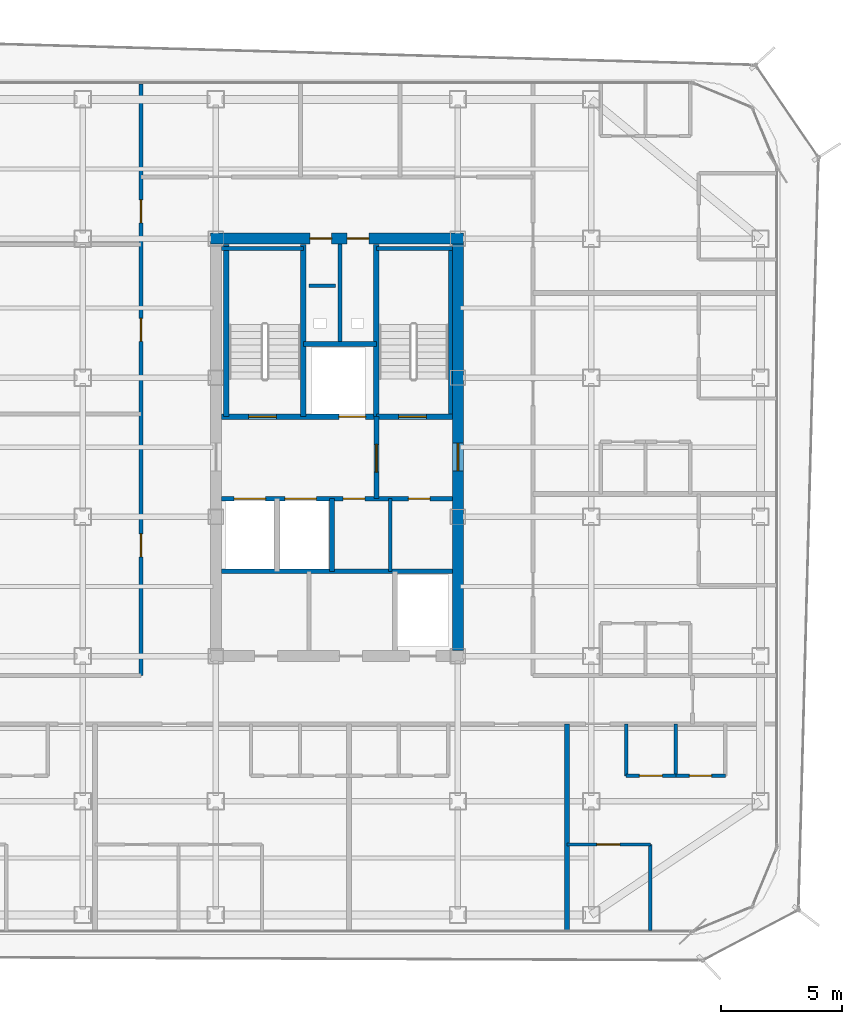
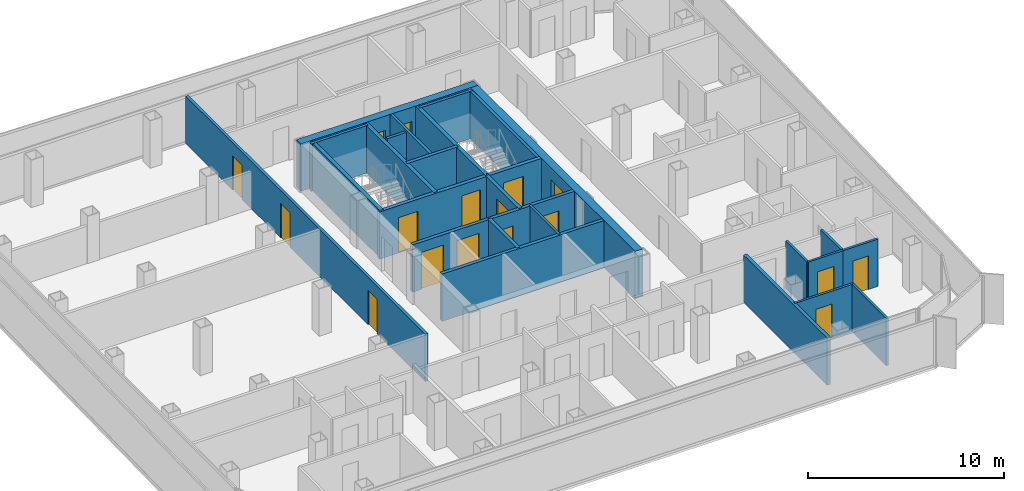
# One storey, part 11 of 16: 26 walls, 17 doors, 17 openings.
"""IFC4 building model written with IfcOpenShell, lengths in metres."""

from ifc_helpers import new_model, si_unit, direction, frame, frame_2d, origin, place, context, subcontext, project, spatial, rectangle, extrude, material, layer, layer_set, type_object, element, fill, save


model = new_model("IFC4")

# Units and contexts
model_context = context("Model", 3, precision=1e-05, world=origin(), true_north=direction((0.0, 1.0)))
body_context = subcontext(model_context, "Body", "Model", "MODEL_VIEW")
ifc_project = project(units=[si_unit("LENGTHUNIT", "METRE"), si_unit("AREAUNIT", "SQUARE_METRE"), si_unit("VOLUMEUNIT", "CUBIC_METRE"), si_unit("PLANEANGLEUNIT", "RADIAN"), si_unit("MASSUNIT", "GRAM", prefix="KILO")], contexts=[model_context])

# Site, building, storey
site_placement = place(None, origin())
site = spatial("IfcSite", under=ifc_project, at=site_placement, CompositionType="ELEMENT")
building_placement = place(site_placement, origin())
building = spatial("IfcBuilding", under=site, at=building_placement, Name="Kolveth Station Tower", CompositionType="ELEMENT")
storey_placement = place(building_placement, frame((0.0, 0.0, 175.300048828125)))
storey = spatial("IfcBuildingStorey", under=building, at=storey_placement, Name="L49", CompositionType="ELEMENT", Elevation=175.300048828125)

# Wall, openings, doors
ifc_material_1 = material(Name="Concrete C50/60", Category="concrete")
ifc_layer_1 = layer(ifc_material_1, 0.449951171875)
ifc_layer_set_1 = layer_set([ifc_layer_1], Name="Concrete C50/60")
wall_type_1 = type_object("IfcWallType", Name="Wall_CW-450", PredefinedType="SHEAR", material=ifc_layer_set_1)
wall_1_placement = place(storey_placement, frame((18.27490234375, 28.75, 0.0), z_axis=(0.0, 0.0, 1.0), x_axis=(1.0, 0.0, 0.0)))
wall_1 = element("IfcWall", 1, at=wall_1_placement, inside=storey, type_object=wall_type_1, Name="L49 Core RC Shear Wall N", PredefinedType="SHEAR", context=body_context, shape_type="SweptSolid", body=[
    extrude(rectangle(XDim=10.4501953125, YDim=0.449951171875, at=frame_2d((5.22509765625, 0.0))), origin(), (0.0, 0.0, 1.0), 2.949951171875),
])
opening_1_placement = place(wall_1_placement, frame((4.10498046875, 0.0, 0.0)))
opening_1 = element("IfcOpeningElement", 2, at=opening_1_placement, cuts=wall_1, Name="Opening RD1", PredefinedType="OPENING", context=body_context, shape_type="SweptSolid", body=[
    extrude(rectangle(XDim=0.89990234375, YDim=2.050048828125, at=frame_2d((0.449951171875, 1.02490234375))), frame((0.0, 0.23486328125, 0.0), z_axis=(0.0, -1.0, 0.0), x_axis=(1.0, 0.0, 0.0)), (0.0, 0.0, 1.0), 0.469970703125),
])
opening_2_placement = place(wall_1_placement, frame((5.64501953125, 0.0, 0.0)))
opening_2 = element("IfcOpeningElement", 3, at=opening_2_placement, cuts=wall_1, Name="Opening RD1", PredefinedType="OPENING", context=body_context, shape_type="SweptSolid", body=[
    extrude(rectangle(XDim=0.89990234375, YDim=2.050048828125, at=frame_2d((0.449951171875, 1.02490234375))), frame((0.0, 0.23486328125, 0.0), z_axis=(0.0, -1.0, 0.0), x_axis=(1.0, 0.0, 0.0)), (0.0, 0.0, 1.0), 0.469970703125),
])
ifc_material_2 = material(Name="Fire-rated Steel S355 riser access leaf", Category="steel")
door_type_1 = type_object("IfcDoorType", Name="Door_RD1", OperationType="NOTDEFINED", PredefinedType="DOOR", material=ifc_material_2)
door_1_placement = place(opening_1_placement, origin())
door_1 = element("IfcDoor", 4, at=door_1_placement, inside=storey, type_object=door_type_1, Name="L49 Electrical Riser Access Door", OperationType="SINGLE_SWING_RIGHT", OverallHeight=2.050048828125, OverallWidth=0.89990234375, PredefinedType="DOOR", context=body_context, shape_type="SweptSolid", body=[
    extrude(rectangle(XDim=0.89990234375, YDim=2.050048828125, at=frame_2d((0.449951171875, 1.02490234375))), frame((0.0, 0.02490234375, 0.0), z_axis=(0.0, -1.0, 0.0), x_axis=(1.0, 0.0, 0.0)), (0.0, 0.0, 1.0), 0.050048828125),
])
fill(opening_1, door_1)
door_2_placement = place(opening_2_placement, origin())
door_2 = element("IfcDoor", 5, at=door_2_placement, inside=storey, type_object=door_type_1, Name="L49 Smoke Duct Access Door", OperationType="SINGLE_SWING_LEFT", OverallHeight=2.050048828125, OverallWidth=0.89990234375, PredefinedType="DOOR", context=body_context, shape_type="SweptSolid", body=[
    extrude(rectangle(XDim=0.89990234375, YDim=2.050048828125, at=frame_2d((0.449951171875, 1.02490234375))), frame((0.0, 0.02490234375, 0.0), z_axis=(0.0, -1.0, 0.0), x_axis=(1.0, 0.0, 0.0)), (0.0, 0.0, 1.0), 0.050048828125),
])
fill(opening_2, door_2)

# Wall, opening, door
wall_2_placement = place(storey_placement, frame((28.5, 11.72509765625, 0.0), z_axis=(0.0, 0.0, 1.0), x_axis=(0.0, 1.0, 0.0)))
wall_2 = element("IfcWall", 6, at=wall_2_placement, inside=storey, type_object=wall_type_1, Name="L49 Core RC Shear Wall E", PredefinedType="SHEAR", context=body_context, shape_type="SweptSolid", body=[
    extrude(rectangle(XDim=16.7998046875, YDim=0.449951171875, at=frame_2d((8.39990234375, 0.0))), origin(), (0.0, 0.0, 1.0), 2.949951171875),
])
opening_3_placement = place(wall_2_placement, frame((7.425048828125, 0.0, 0.0)))
opening_3 = element("IfcOpeningElement", 7, at=opening_3_placement, cuts=wall_2, Name="Opening FD1", PredefinedType="OPENING", context=body_context, shape_type="SweptSolid", body=[
    extrude(rectangle(XDim=1.14990234375, YDim=2.199951171875, at=frame_2d((0.574951171875, 1.10009765625))), frame((0.0, 0.23486328125, 0.0), z_axis=(0.0, -1.0, 0.0), x_axis=(1.0, 0.0, 0.0)), (0.0, 0.0, 1.0), 0.469970703125),
])
ifc_material_3 = material(Name="Fire-rated Steel S355 leaf and frame", Category="steel")
door_type_2 = type_object("IfcDoorType", Name="Door_FD1", OperationType="NOTDEFINED", PredefinedType="DOOR", material=ifc_material_3)
door_3_placement = place(opening_3_placement, origin())
door_3 = element("IfcDoor", 8, at=door_3_placement, inside=storey, type_object=door_type_2, Name="L49 East Corridor to Stair Lobby Door", OperationType="SINGLE_SWING_LEFT", OverallHeight=2.199951171875, OverallWidth=1.14990234375, PredefinedType="DOOR", context=body_context, shape_type="SweptSolid", body=[
    extrude(rectangle(XDim=1.14990234375, YDim=2.199951171875, at=frame_2d((0.574951171875, 1.10009765625))), frame((0.0, 0.02490234375, 0.0), z_axis=(0.0, -1.0, 0.0), x_axis=(1.0, 0.0, 0.0)), (0.0, 0.0, 1.0), 0.050048828125),
])
fill(opening_3, door_3)

# Wall
ifc_material_4 = material(Name="Moisture-resistant gypsum partition")
ifc_layer_2 = layer(ifc_material_4, 0.135009765625)
ifc_layer_set_2 = layer_set([ifc_layer_2], Name="Moisture-resistant gypsum partition")
wall_type_2 = type_object("IfcWallType", Name="Wall_IW-135", PredefinedType="PARTITIONING", material=ifc_layer_set_2)
wall_3_placement = place(storey_placement, frame((25.699951171875, 15.0, 0.0), z_axis=(0.0, 0.0, 1.0), x_axis=(0.0, 1.0, 0.0)))
element("IfcWall", 9, at=wall_3_placement, inside=storey, type_object=wall_type_2, Name="L49 Partition Wall WL-L49-CB-V1", PredefinedType="PARTITIONING", context=body_context, shape_type="SweptSolid", body=[
    extrude(rectangle(XDim=3.0, YDim=0.135009765625, at=frame_2d((1.5, 0.0))), origin(), (0.0, 0.0, 1.0), 2.949951171875),
])

# Wall, opening, door
wall_4_placement = place(storey_placement, frame((35.449951171875, 6.550048828125, 0.0), z_axis=(0.0, 0.0, 1.0), x_axis=(1.0, 0.0, 0.0)))
wall_4 = element("IfcWall", 10, at=wall_4_placement, inside=storey, type_object=wall_type_2, Name="L49 Partition Wall WL-L49-A4-IBHK", PredefinedType="PARTITIONING", context=body_context, shape_type="SweptSolid", body=[
    extrude(rectangle(XDim=2.050048828125, YDim=0.135009765625, at=frame_2d((1.02490234375, 0.0))), origin(), (0.0, 0.0, 1.0), 2.949951171875),
])
opening_4_placement = place(wall_4_placement, frame((0.544921875, 0.0, 0.0)))
opening_4 = element("IfcOpeningElement", 11, at=opening_4_placement, cuts=wall_4, Name="Opening ID1", PredefinedType="OPENING", context=body_context, shape_type="SweptSolid", body=[
    extrude(rectangle(XDim=0.949951171875, YDim=2.14990234375, at=frame_2d((0.47509765625, 1.074951171875))), frame((0.0, 0.077392578125, 0.0), z_axis=(0.0, -1.0, 0.0), x_axis=(1.0, 0.0, 0.0)), (0.0, 0.0, 1.0), 0.155029296875),
])
ifc_material_5 = material(Name="Acoustic hardwood leaf and aluminium frame", Category="wood")
door_type_3 = type_object("IfcDoorType", Name="Door_ID1", OperationType="NOTDEFINED", PredefinedType="DOOR", material=ifc_material_5)
door_4_placement = place(opening_4_placement, origin())
door_4 = element("IfcDoor", 12, at=door_4_placement, inside=storey, type_object=door_type_3, Name="Flat L49-A4 Kitchen Door", OperationType="SINGLE_SWING_LEFT", OverallHeight=2.14990234375, OverallWidth=0.949951171875, PredefinedType="DOOR", context=body_context, shape_type="SweptSolid", body=[
    extrude(rectangle(XDim=0.949951171875, YDim=2.14990234375, at=frame_2d((0.47509765625, 1.074951171875))), frame((0.0, 0.02490234375, 0.0), z_axis=(0.0, -1.0, 0.0), x_axis=(1.0, 0.0, 0.0)), (0.0, 0.0, 1.0), 0.050048828125),
])
fill(opening_4, door_4)

wall_5_placement = place(storey_placement, frame((37.5, 6.550048828125, 0.0), z_axis=(0.0, 0.0, 1.0), x_axis=(1.0, 0.0, 0.0)))
wall_5 = element("IfcWall", 13, at=wall_5_placement, inside=storey, type_object=wall_type_2, Name="L49 Partition Wall WL-L49-A4-IBHB", PredefinedType="PARTITIONING", context=body_context, shape_type="SweptSolid", body=[
    extrude(rectangle(XDim=2.050048828125, YDim=0.135009765625, at=frame_2d((1.02490234375, 0.0))), origin(), (0.0, 0.0, 1.0), 2.949951171875),
])
opening_5_placement = place(wall_5_placement, frame((0.56494140625, 0.0, 0.0)))
opening_5 = element("IfcOpeningElement", 14, at=opening_5_placement, cuts=wall_5, Name="Opening ID2", PredefinedType="OPENING", context=body_context, shape_type="SweptSolid", body=[
    extrude(rectangle(XDim=0.919921875, YDim=2.10009765625, at=frame_2d((0.4599609375, 1.050048828125))), frame((0.0, 0.077392578125, 0.0), z_axis=(0.0, -1.0, 0.0), x_axis=(1.0, 0.0, 0.0)), (0.0, 0.0, 1.0), 0.155029296875),
])
ifc_material_6 = material(Name="Moisture-resistant hardwood leaf", Category="wood")
door_type_4 = type_object("IfcDoorType", Name="Door_ID2", OperationType="NOTDEFINED", PredefinedType="DOOR", material=ifc_material_6)
door_5_placement = place(opening_5_placement, origin())
door_5 = element("IfcDoor", 15, at=door_5_placement, inside=storey, type_object=door_type_4, Name="Flat L49-A4 Bathroom Door", OperationType="SINGLE_SWING_LEFT", OverallHeight=2.10009765625, OverallWidth=0.919921875, PredefinedType="DOOR", context=body_context, shape_type="SweptSolid", body=[
    extrude(rectangle(XDim=0.919921875, YDim=2.10009765625, at=frame_2d((0.4599609375, 1.050048828125))), frame((0.0, 0.02490234375, 0.0), z_axis=(0.0, -1.0, 0.0), x_axis=(1.0, 0.0, 0.0)), (0.0, 0.0, 1.0), 0.050048828125),
])
fill(opening_5, door_5)

# Walls
for number, where, z_axis, x_axis, name in (
    (16, (35.449951171875, 6.550048828125, 0.0), (0.0, 0.0, 1.0), (0.0, 1.0, 0.0), "L49 Partition Wall WL-L49-A4-IBV0"),
    (17, (37.5, 6.550048828125, 0.0), (0.0, 0.0, 1.0), (0.0, 1.0, 0.0), "L49 Partition Wall WL-L49-A4-IBV1"),
):
    element("IfcWall", number, at=place(storey_placement, frame(where, z_axis=z_axis, x_axis=x_axis)), inside=storey, type_object=wall_type_2, Name=name, PredefinedType="PARTITIONING", context=body_context, shape_type="SweptSolid", body=[
        extrude(rectangle(XDim=2.14990234375, YDim=0.135009765625, at=frame_2d((1.074951171875, 0.0))), origin(), (0.0, 0.0, 1.0), 2.949951171875),
    ])
wall_6_placement = place(storey_placement, frame((36.449951171875, 0.159912109375, 0.0), z_axis=(0.0, 0.0, 1.0), x_axis=(0.0, 1.0, 0.0)))
element("IfcWall", 18, at=wall_6_placement, inside=storey, type_object=wall_type_2, Name="L49 Partition Wall WL-L49-A4-BDVE", PredefinedType="PARTITIONING", context=body_context, shape_type="SweptSolid", body=[
    extrude(rectangle(XDim=3.550048828125, YDim=0.135009765625, at=frame_2d((1.77490234375, 0.0))), origin(), (0.0, 0.0, 1.0), 2.949951171875),
])

# Wall, opening, door
wall_7_placement = place(storey_placement, frame((33.0, 3.7099609375, 0.0), z_axis=(0.0, 0.0, 1.0), x_axis=(1.0, 0.0, 0.0)))
wall_7 = element("IfcWall", 19, at=wall_7_placement, inside=storey, type_object=wall_type_2, Name="L49 Partition Wall WL-L49-A4-BDH1", PredefinedType="PARTITIONING", context=body_context, shape_type="SweptSolid", body=[
    extrude(rectangle(XDim=3.449951171875, YDim=0.135009765625, at=frame_2d((1.72509765625, 0.0))), origin(), (0.0, 0.0, 1.0), 2.949951171875),
])
opening_6_placement = place(wall_7_placement, frame((1.2451171875, 0.0, 0.0)))
opening_6 = element("IfcOpeningElement", 20, at=opening_6_placement, cuts=wall_7, Name="Opening ID1", PredefinedType="OPENING", context=body_context, shape_type="SweptSolid", body=[
    extrude(rectangle(XDim=0.949951171875, YDim=2.14990234375, at=frame_2d((0.47509765625, 1.074951171875))), frame((0.0, 0.077392578125, 0.0), z_axis=(0.0, -1.0, 0.0), x_axis=(1.0, 0.0, 0.0)), (0.0, 0.0, 1.0), 0.155029296875),
])
door_6_placement = place(opening_6_placement, frame((0.949951171875, 0.0, 0.0), z_axis=(0.0, 0.0, 1.0), x_axis=(-1.0, 0.0, 0.0)))
door_6 = element("IfcDoor", 21, at=door_6_placement, inside=storey, type_object=door_type_3, Name="Flat L49-A4 Bedroom 1 Door", OperationType="SINGLE_SWING_RIGHT", OverallHeight=2.14990234375, OverallWidth=0.949951171875, PredefinedType="DOOR", context=body_context, shape_type="SweptSolid", body=[
    extrude(rectangle(XDim=0.949951171875, YDim=2.14990234375, at=frame_2d((0.47509765625, 1.074951171875))), frame((0.0, 0.02490234375, 0.0), z_axis=(0.0, -1.0, 0.0), x_axis=(1.0, 0.0, 0.0)), (0.0, 0.0, 1.0), 0.050048828125),
])
fill(opening_6, door_6)

# Walls
ifc_material_7 = material(Name="Acoustic double-stud gypsum partition")
ifc_layer_3 = layer(ifc_material_7, 0.1650390625)
ifc_layer_set_3 = layer_set([ifc_layer_3], Name="Acoustic double-stud gypsum partition")
wall_type_3 = type_object("IfcWallType", Name="Wall_IW-165", PredefinedType="PARTITIONING", material=ifc_layer_set_3)
wall_8_placement = place(storey_placement, frame((18.735107421875, 28.3349609375, 0.0), z_axis=(0.0, 0.0, 1.0), x_axis=(1.0, 0.0, 0.0)))
element("IfcWall", 22, at=wall_8_placement, inside=storey, type_object=wall_type_3, Name="L49 Stair Shaft Wall WL-L49-ST1-N", PredefinedType="PARTITIONING", context=body_context, shape_type="SweptSolid", body=[
    extrude(rectangle(XDim=3.375, YDim=0.1650390625, at=frame_2d((1.6875, 0.0))), origin(), (0.0, 0.0, 1.0), 2.949951171875),
])
wall_9_placement = place(storey_placement, frame((25.1298828125, 28.3349609375, 0.0), z_axis=(0.0, 0.0, 1.0), x_axis=(1.0, 0.0, 0.0)))
element("IfcWall", 23, at=wall_9_placement, inside=storey, type_object=wall_type_3, Name="L49 Stair Shaft Wall WL-L49-ST2-N", PredefinedType="PARTITIONING", context=body_context, shape_type="SweptSolid", body=[
    extrude(rectangle(XDim=3.135009765625, YDim=0.1650390625, at=frame_2d((1.5673828125, 0.0))), origin(), (0.0, 0.0, 1.0), 2.949951171875),
])
wall_10_placement = place(storey_placement, frame((28.1826171875, 21.389892578125, 0.0), z_axis=(0.0, 0.0, 1.0), x_axis=(0.0, 1.0, 0.0)))
element("IfcWall", 24, at=wall_10_placement, inside=storey, type_object=wall_type_3, Name="L49 Stair Shaft Wall WL-L49-ST2-E", PredefinedType="PARTITIONING", context=body_context, shape_type="SweptSolid", body=[
    extrude(rectangle(XDim=6.945068359375, YDim=0.1650390625, at=frame_2d((3.47265625, 0.0))), origin(), (0.0, 0.0, 1.0), 2.949951171875),
])
wall_11_placement = place(storey_placement, frame((23.6201171875, 24.39990234375, 0.0), z_axis=(0.0, 0.0, 1.0), x_axis=(0.0, 1.0, 0.0)))
element("IfcWall", 25, at=wall_11_placement, inside=storey, type_object=wall_type_3, Name="L49 Partition Wall WL-L49-RSR-M", PredefinedType="PARTITIONING", context=body_context, shape_type="SweptSolid", body=[
    extrude(rectangle(XDim=4.114990234375, YDim=0.1650390625, at=frame_2d((2.0576171875, 0.0))), origin(), (0.0, 0.0, 1.0), 2.949951171875),
])

# Wall, openings, doors
wall_12_placement = place(storey_placement, frame((15.39990234375, 10.699951171875, 0.0), z_axis=(0.0, 0.0, 1.0), x_axis=(0.0, 1.0, 0.0)))
wall_12 = element("IfcWall", 26, at=wall_12_placement, inside=storey, type_object=wall_type_3, Name="L49 Partition Wall WL-L49-RW", PredefinedType="PARTITIONING", context=body_context, shape_type="SweptSolid", body=[
    extrude(rectangle(XDim=24.43994140625, YDim=0.1650390625, at=frame_2d((12.219970703125, 0.0))), origin(), (0.0, 0.0, 1.0), 2.949951171875),
])
opening_7_placement = place(wall_12_placement, frame((4.89990234375, 0.0, 0.0)))
opening_7 = element("IfcOpeningElement", 27, at=opening_7_placement, cuts=wall_12, Name="Opening ID1", PredefinedType="OPENING", context=body_context, shape_type="SweptSolid", body=[
    extrude(rectangle(XDim=0.949951171875, YDim=2.14990234375, at=frame_2d((0.47509765625, 1.074951171875))), frame((0.0, 0.092529296875, 0.0), z_axis=(0.0, -1.0, 0.0), x_axis=(1.0, 0.0, 0.0)), (0.0, 0.0, 1.0), 0.18505859375),
])
opening_8_placement = place(wall_12_placement, frame((13.800048828125, 0.0, 0.0)))
opening_8 = element("IfcOpeningElement", 28, at=opening_8_placement, cuts=wall_12, Name="Opening ID1", PredefinedType="OPENING", context=body_context, shape_type="SweptSolid", body=[
    extrude(rectangle(XDim=0.949951171875, YDim=2.14990234375, at=frame_2d((0.47509765625, 1.074951171875))), frame((0.0, 0.092529296875, 0.0), z_axis=(0.0, -1.0, 0.0), x_axis=(1.0, 0.0, 0.0)), (0.0, 0.0, 1.0), 0.18505859375),
])
opening_9_placement = place(wall_12_placement, frame((18.699951171875, 0.0, 0.0)))
opening_9 = element("IfcOpeningElement", 29, at=opening_9_placement, cuts=wall_12, Name="Opening ID1", PredefinedType="OPENING", context=body_context, shape_type="SweptSolid", body=[
    extrude(rectangle(XDim=0.949951171875, YDim=2.14990234375, at=frame_2d((0.47509765625, 1.074951171875))), frame((0.0, 0.092529296875, 0.0), z_axis=(0.0, -1.0, 0.0), x_axis=(1.0, 0.0, 0.0)), (0.0, 0.0, 1.0), 0.18505859375),
])
door_7_placement = place(opening_7_placement, frame((0.949951171875, 0.0, 0.0), z_axis=(0.0, 0.0, 1.0), x_axis=(-1.0, 0.0, 0.0)))
door_7 = element("IfcDoor", 30, at=door_7_placement, inside=storey, type_object=door_type_3, Name="L49 Residents' Club Lounge Door", OperationType="SINGLE_SWING_RIGHT", OverallHeight=2.14990234375, OverallWidth=0.949951171875, PredefinedType="DOOR", context=body_context, shape_type="SweptSolid", body=[
    extrude(rectangle(XDim=0.949951171875, YDim=2.14990234375, at=frame_2d((0.47509765625, 1.074951171875))), frame((0.0, 0.02490234375, 0.0), z_axis=(0.0, -1.0, 0.0), x_axis=(1.0, 0.0, 0.0)), (0.0, 0.0, 1.0), 0.050048828125),
])
fill(opening_7, door_7)
door_8_placement = place(opening_8_placement, frame((0.949951171875, 0.0, 0.0), z_axis=(0.0, 0.0, 1.0), x_axis=(-1.0, 0.0, 0.0)))
door_8 = element("IfcDoor", 31, at=door_8_placement, inside=storey, type_object=door_type_3, Name="L49 Residents' Screening Room Door", OperationType="SINGLE_SWING_LEFT", OverallHeight=2.14990234375, OverallWidth=0.949951171875, PredefinedType="DOOR", context=body_context, shape_type="SweptSolid", body=[
    extrude(rectangle(XDim=0.949951171875, YDim=2.14990234375, at=frame_2d((0.47509765625, 1.074951171875))), frame((0.0, 0.02490234375, 0.0), z_axis=(0.0, -1.0, 0.0), x_axis=(1.0, 0.0, 0.0)), (0.0, 0.0, 1.0), 0.050048828125),
])
fill(opening_8, door_8)
door_9_placement = place(opening_9_placement, frame((0.949951171875, 0.0, 0.0), z_axis=(0.0, 0.0, 1.0), x_axis=(-1.0, 0.0, 0.0)))
door_9 = element("IfcDoor", 32, at=door_9_placement, inside=storey, type_object=door_type_3, Name="L49 Club Servery Pantry Door", OperationType="SINGLE_SWING_RIGHT", OverallHeight=2.14990234375, OverallWidth=0.949951171875, PredefinedType="DOOR", context=body_context, shape_type="SweptSolid", body=[
    extrude(rectangle(XDim=0.949951171875, YDim=2.14990234375, at=frame_2d((0.47509765625, 1.074951171875))), frame((0.0, 0.02490234375, 0.0), z_axis=(0.0, -1.0, 0.0), x_axis=(1.0, 0.0, 0.0)), (0.0, 0.0, 1.0), 0.050048828125),
])
fill(opening_9, door_9)

# Walls
wall_13_placement = place(storey_placement, frame((22.35009765625, 26.800048828125, 0.0), z_axis=(0.0, 0.0, 1.0), x_axis=(1.0, 0.0, 0.0)))
element("IfcWall", 33, at=wall_13_placement, inside=storey, type_object=wall_type_3, Name="L49 Acoustic Riser Dry-Lining Wall", PredefinedType="PARTITIONING", context=body_context, shape_type="SweptSolid", body=[
    extrude(rectangle(XDim=1.099853515625, YDim=0.1650390625, at=frame_2d((0.5498046875, 0.0))), origin(), (0.0, 0.0, 1.0), 2.949951171875),
])
ifc_material_8 = material(Name="Acoustic fire-rated gypsum blockwork", Category="masonry")
ifc_layer_4 = layer(ifc_material_8, 0.199951171875)
ifc_layer_set_4 = layer_set([ifc_layer_4], Name="Acoustic fire-rated gypsum blockwork")
wall_type_4 = type_object("IfcWallType", Name="Wall_IW-200", PredefinedType="PARTITIONING", material=ifc_layer_set_4)
wall_14_placement = place(storey_placement, frame((22.110107421875, 24.39990234375, 0.0), z_axis=(0.0, 0.0, 1.0), x_axis=(1.0, 0.0, 0.0)))
element("IfcWall", 34, at=wall_14_placement, inside=storey, type_object=wall_type_4, Name="L49 Partition Wall WL-L49-RSR-S", PredefinedType="PARTITIONING", context=body_context, shape_type="SweptSolid", body=[
    extrude(rectangle(XDim=3.019775390625, YDim=0.199951171875, at=frame_2d((1.509765625, 0.0))), origin(), (0.0, 0.0, 1.0), 2.949951171875),
])

# Wall, opening, door
wall_15_placement = place(storey_placement, frame((25.1298828125, 18.0, 0.0), z_axis=(0.0, 0.0, 1.0), x_axis=(0.0, 1.0, 0.0)))
wall_15 = element("IfcWall", 35, at=wall_15_placement, inside=storey, type_object=wall_type_4, Name="L49 Partition Wall WL-L49-FFL-E", PredefinedType="PARTITIONING", context=body_context, shape_type="SweptSolid", body=[
    extrude(rectangle(XDim=3.389892578125, YDim=0.199951171875, at=frame_2d((1.69482421875, 0.0))), origin(), (0.0, 0.0, 1.0), 2.949951171875),
])
opening_10_placement = place(wall_15_placement, frame((1.10009765625, 0.0, 0.0)))
opening_10 = element("IfcOpeningElement", 36, at=opening_10_placement, cuts=wall_15, Name="Opening FD1", PredefinedType="OPENING", context=body_context, shape_type="SweptSolid", body=[
    extrude(rectangle(XDim=1.14990234375, YDim=2.199951171875, at=frame_2d((0.574951171875, 1.10009765625))), frame((0.0, 0.10986328125, 0.0), z_axis=(0.0, -1.0, 0.0), x_axis=(1.0, 0.0, 0.0)), (0.0, 0.0, 1.0), 0.219970703125),
])
door_10_placement = place(opening_10_placement, origin())
door_10 = element("IfcDoor", 37, at=door_10_placement, inside=storey, type_object=door_type_2, Name="L49 Firefighting to Stair Lobby Door", OperationType="SINGLE_SWING_LEFT", OverallHeight=2.199951171875, OverallWidth=1.14990234375, PredefinedType="DOOR", context=body_context, shape_type="SweptSolid", body=[
    extrude(rectangle(XDim=1.14990234375, YDim=2.199951171875, at=frame_2d((0.574951171875, 1.10009765625))), frame((0.0, 0.02490234375, 0.0), z_axis=(0.0, -1.0, 0.0), x_axis=(1.0, 0.0, 0.0)), (0.0, 0.0, 1.0), 0.050048828125),
])
fill(opening_10, door_10)

# Wall, openings, doors
wall_16_placement = place(storey_placement, frame((18.735107421875, 18.0, 0.0), z_axis=(0.0, 0.0, 1.0), x_axis=(1.0, 0.0, 0.0)))
wall_16 = element("IfcWall", 38, at=wall_16_placement, inside=storey, type_object=wall_type_4, Name="L49 Partition Wall WL-L49-FFL-S", PredefinedType="PARTITIONING", context=body_context, shape_type="SweptSolid", body=[
    extrude(rectangle(XDim=9.52978515625, YDim=0.199951171875, at=frame_2d((4.764892578125, 0.0))), origin(), (0.0, 0.0, 1.0), 2.949951171875),
])
opening_11_placement = place(wall_16_placement, frame((0.514892578125, 0.0, 0.0)))
opening_11 = element("IfcOpeningElement", 39, at=opening_11_placement, cuts=wall_16, Name="Opening LD2", PredefinedType="OPENING", context=body_context, shape_type="SweptSolid", body=[
    extrude(rectangle(XDim=1.300048828125, YDim=2.300048828125, at=frame_2d((0.64990234375, 1.14990234375))), frame((0.0, 0.10986328125, 0.0), z_axis=(0.0, -1.0, 0.0), x_axis=(1.0, 0.0, 0.0)), (0.0, 0.0, 1.0), 0.219970703125),
])
opening_12_placement = place(wall_16_placement, frame((2.614990234375, 0.0, 0.0)))
opening_12 = element("IfcOpeningElement", 40, at=opening_12_placement, cuts=wall_16, Name="Opening LD2", PredefinedType="OPENING", context=body_context, shape_type="SweptSolid", body=[
    extrude(rectangle(XDim=1.300048828125, YDim=2.300048828125, at=frame_2d((0.64990234375, 1.14990234375))), frame((0.0, 0.10986328125, 0.0), z_axis=(0.0, -1.0, 0.0), x_axis=(1.0, 0.0, 0.0)), (0.0, 0.0, 1.0), 0.219970703125),
])
opening_13_placement = place(wall_16_placement, frame((5.014892578125, 0.0, 0.0)))
opening_13 = element("IfcOpeningElement", 41, at=opening_13_placement, cuts=wall_16, Name="Opening RD1", PredefinedType="OPENING", context=body_context, shape_type="SweptSolid", body=[
    extrude(rectangle(XDim=0.89990234375, YDim=2.050048828125, at=frame_2d((0.449951171875, 1.02490234375))), frame((0.0, 0.10986328125, 0.0), z_axis=(0.0, -1.0, 0.0), x_axis=(1.0, 0.0, 0.0)), (0.0, 0.0, 1.0), 0.219970703125),
])
opening_14_placement = place(wall_16_placement, frame((7.715087890625, 0.0, 0.0)))
opening_14 = element("IfcOpeningElement", 42, at=opening_14_placement, cuts=wall_16, Name="Opening RD1", PredefinedType="OPENING", context=body_context, shape_type="SweptSolid", body=[
    extrude(rectangle(XDim=0.89990234375, YDim=2.050048828125, at=frame_2d((0.449951171875, 1.02490234375))), frame((0.0, 0.10986328125, 0.0), z_axis=(0.0, -1.0, 0.0), x_axis=(1.0, 0.0, 0.0)), (0.0, 0.0, 1.0), 0.219970703125),
])
ifc_material_9 = material(Name="Firefighting stainless steel sliding landing doors", Category="steel")
door_type_5 = type_object("IfcDoorType", Name="Door_LD2", OperationType="NOTDEFINED", PredefinedType="DOOR", material=ifc_material_9)
door_11_placement = place(opening_11_placement, origin())
door_11 = element("IfcDoor", 43, at=door_11_placement, inside=storey, type_object=door_type_5, Name="L49 Firefighting Lift FF1 Landing Door", OperationType="DOUBLE_DOOR_SLIDING", OverallHeight=2.300048828125, OverallWidth=1.300048828125, PredefinedType="DOOR", context=body_context, shape_type="SweptSolid", body=[
    extrude(rectangle(XDim=1.300048828125, YDim=2.300048828125, at=frame_2d((0.64990234375, 1.14990234375))), frame((0.0, 0.02490234375, 0.0), z_axis=(0.0, -1.0, 0.0), x_axis=(1.0, 0.0, 0.0)), (0.0, 0.0, 1.0), 0.050048828125),
])
fill(opening_11, door_11)
door_12_placement = place(opening_12_placement, origin())
door_12 = element("IfcDoor", 44, at=door_12_placement, inside=storey, type_object=door_type_5, Name="L49 Firefighting Lift FF2 Landing Door", OperationType="DOUBLE_DOOR_SLIDING", OverallHeight=2.300048828125, OverallWidth=1.300048828125, PredefinedType="DOOR", context=body_context, shape_type="SweptSolid", body=[
    extrude(rectangle(XDim=1.300048828125, YDim=2.300048828125, at=frame_2d((0.64990234375, 1.14990234375))), frame((0.0, 0.02490234375, 0.0), z_axis=(0.0, -1.0, 0.0), x_axis=(1.0, 0.0, 0.0)), (0.0, 0.0, 1.0), 0.050048828125),
])
fill(opening_12, door_12)
door_13_placement = place(opening_13_placement, frame((0.89990234375, 0.0, 0.0), z_axis=(0.0, 0.0, 1.0), x_axis=(-1.0, 0.0, 0.0)))
door_13 = element("IfcDoor", 45, at=door_13_placement, inside=storey, type_object=door_type_1, Name="L49 Core Accessible WC Door", OperationType="SINGLE_SWING_LEFT", OverallHeight=2.050048828125, OverallWidth=0.89990234375, PredefinedType="DOOR", context=body_context, shape_type="SweptSolid", body=[
    extrude(rectangle(XDim=0.89990234375, YDim=2.050048828125, at=frame_2d((0.449951171875, 1.02490234375))), frame((0.0, 0.02490234375, 0.0), z_axis=(0.0, -1.0, 0.0), x_axis=(1.0, 0.0, 0.0)), (0.0, 0.0, 1.0), 0.050048828125),
])
fill(opening_13, door_13)
door_14_placement = place(opening_14_placement, frame((0.89990234375, 0.0, 0.0), z_axis=(0.0, 0.0, 1.0), x_axis=(-1.0, 0.0, 0.0)))
door_14 = element("IfcDoor", 46, at=door_14_placement, inside=storey, type_object=door_type_1, Name="L49 Core Cleaner Store Door", OperationType="SINGLE_SWING_LEFT", OverallHeight=2.050048828125, OverallWidth=0.89990234375, PredefinedType="DOOR", context=body_context, shape_type="SweptSolid", body=[
    extrude(rectangle(XDim=0.89990234375, YDim=2.050048828125, at=frame_2d((0.449951171875, 1.02490234375))), frame((0.0, 0.02490234375, 0.0), z_axis=(0.0, -1.0, 0.0), x_axis=(1.0, 0.0, 0.0)), (0.0, 0.0, 1.0), 0.050048828125),
])
fill(opening_14, door_14)

# Walls
wall_17_placement = place(storey_placement, frame((23.300048828125, 15.0, 0.0), z_axis=(0.0, 0.0, 1.0), x_axis=(0.0, 1.0, 0.0)))
element("IfcWall", 47, at=wall_17_placement, inside=storey, type_object=wall_type_4, Name="L49 Partition Wall WL-L49-FF2E", PredefinedType="PARTITIONING", context=body_context, shape_type="SweptSolid", body=[
    extrude(rectangle(XDim=3.0, YDim=0.199951171875, at=frame_2d((1.5, 0.0))), origin(), (0.0, 0.0, 1.0), 2.949951171875),
])
wall_18_placement = place(storey_placement, frame((18.735107421875, 15.0, 0.0), z_axis=(0.0, 0.0, 1.0), x_axis=(1.0, 0.0, 0.0)))
element("IfcWall", 48, at=wall_18_placement, inside=storey, type_object=wall_type_4, Name="L49 Partition Wall WL-L49-BOH-S", PredefinedType="PARTITIONING", context=body_context, shape_type="SweptSolid", body=[
    extrude(rectangle(XDim=9.52978515625, YDim=0.199951171875, at=frame_2d((4.764892578125, 0.0))), origin(), (0.0, 0.0, 1.0), 2.949951171875),
])
wall_19_placement = place(storey_placement, frame((33.0, 0.159912109375, 0.0), z_axis=(0.0, 0.0, 1.0), x_axis=(0.0, 1.0, 0.0)))
element("IfcWall", 49, at=wall_19_placement, inside=storey, type_object=wall_type_4, Name="L49 Partition Wall WL-L49-RSU-3", PredefinedType="PARTITIONING", context=body_context, shape_type="SweptSolid", body=[
    extrude(rectangle(XDim=8.5400390625, YDim=0.199951171875, at=frame_2d((4.27001953125, 0.0))), origin(), (0.0, 0.0, 1.0), 2.949951171875),
])
ifc_material_10 = material(Name="Concrete C40/50", Category="concrete")
ifc_layer_5 = layer(ifc_material_10, 0.219970703125)
ifc_layer_set_5 = layer_set([ifc_layer_5], Name="Concrete C40/50")
wall_type_5 = type_object("IfcWallType", Name="Wall_IW-220", PredefinedType="SOLIDWALL", material=ifc_layer_set_5)
for number, where, z_axis, x_axis, name in (
    (50, (18.929931640625, 21.389892578125, 0.0), (0.0, 0.0, 1.0), (0.0, 1.0, 0.0), "L49 Stair Shaft Wall WL-L49-ST1-W"),
    (51, (22.110107421875, 21.389892578125, 0.0), (0.0, 0.0, 1.0), (0.0, 1.0, 0.0), "L49 Stair Shaft Wall WL-L49-ST1-E"),
    (52, (25.1298828125, 21.389892578125, 0.0), (0.0, 0.0, 1.0), (0.0, 1.0, 0.0), "L49 Stair Shaft Wall WL-L49-ST2-W"),
):
    element("IfcWall", number, at=place(storey_placement, frame(where, z_axis=z_axis, x_axis=x_axis)), inside=storey, type_object=wall_type_5, Name=name, PredefinedType="SOLIDWALL", context=body_context, shape_type="SweptSolid", body=[
        extrude(rectangle(XDim=7.110107421875, YDim=0.219970703125, at=frame_2d((3.55517578125, 0.0))), origin(), (0.0, 0.0, 1.0), 2.949951171875),
    ])

# Wall, openings, doors
wall_20_placement = place(storey_placement, frame((18.735107421875, 21.389892578125, 0.0), z_axis=(0.0, 0.0, 1.0), x_axis=(1.0, 0.0, 0.0)))
wall_20 = element("IfcWall", 53, at=wall_20_placement, inside=storey, type_object=wall_type_5, Name="L49 Stair Shaft Wall WL-L49-ST1-S", PredefinedType="SOLIDWALL", context=body_context, shape_type="SweptSolid", body=[
    extrude(rectangle(XDim=6.394775390625, YDim=0.219970703125, at=frame_2d((3.197265625, 0.0))), origin(), (0.0, 0.0, 1.0), 2.949951171875),
])
opening_15_placement = place(wall_20_placement, frame((1.114990234375, 0.0, 0.0)))
opening_15 = element("IfcOpeningElement", 54, at=opening_15_placement, cuts=wall_20, Name="Opening FD1", PredefinedType="OPENING", context=body_context, shape_type="SweptSolid", body=[
    extrude(rectangle(XDim=1.14990234375, YDim=2.199951171875, at=frame_2d((0.574951171875, 1.10009765625))), frame((0.0, 0.119873046875, 0.0), z_axis=(0.0, -1.0, 0.0), x_axis=(1.0, 0.0, 0.0)), (0.0, 0.0, 1.0), 0.239990234375),
])
opening_16_placement = place(wall_20_placement, frame((4.844970703125, 0.0, 0.0)))
opening_16 = element("IfcOpeningElement", 55, at=opening_16_placement, cuts=wall_20, Name="Opening LD1", PredefinedType="OPENING", context=body_context, shape_type="SweptSolid", body=[
    extrude(rectangle(XDim=1.10009765625, YDim=2.25, at=frame_2d((0.550048828125, 1.125))), frame((0.0, 0.119873046875, 0.0), z_axis=(0.0, -1.0, 0.0), x_axis=(1.0, 0.0, 0.0)), (0.0, 0.0, 1.0), 0.239990234375),
])
door_15_placement = place(opening_15_placement, frame((1.14990234375, 0.0, 0.0), z_axis=(0.0, 0.0, 1.0), x_axis=(-1.0, 0.0, 0.0)))
door_15 = element("IfcDoor", 56, at=door_15_placement, inside=storey, type_object=door_type_2, Name="L49 Stair ST1 Fire Door", OperationType="SINGLE_SWING_LEFT", OverallHeight=2.199951171875, OverallWidth=1.14990234375, PredefinedType="DOOR", context=body_context, shape_type="SweptSolid", body=[
    extrude(rectangle(XDim=1.14990234375, YDim=2.199951171875, at=frame_2d((0.574951171875, 1.10009765625))), frame((0.0, 0.02490234375, 0.0), z_axis=(0.0, -1.0, 0.0), x_axis=(1.0, 0.0, 0.0)), (0.0, 0.0, 1.0), 0.050048828125),
])
fill(opening_15, door_15)
ifc_material_11 = material(Name="Brushed stainless steel sliding landing doors", Category="steel")
door_type_6 = type_object("IfcDoorType", Name="Door_LD1", OperationType="NOTDEFINED", PredefinedType="DOOR", material=ifc_material_11)
door_16_placement = place(opening_16_placement, frame((1.10009765625, 0.0, 0.0), z_axis=(0.0, 0.0, 1.0), x_axis=(-1.0, 0.0, 0.0)))
door_16 = element("IfcDoor", 57, at=door_16_placement, inside=storey, type_object=door_type_6, Name="L49 Service Lift SV1 Landing Door", OperationType="DOUBLE_DOOR_SLIDING", OverallHeight=2.25, OverallWidth=1.10009765625, PredefinedType="DOOR", context=body_context, shape_type="SweptSolid", body=[
    extrude(rectangle(XDim=1.10009765625, YDim=2.25, at=frame_2d((0.550048828125, 1.125))), frame((0.0, 0.02490234375, 0.0), z_axis=(0.0, -1.0, 0.0), x_axis=(1.0, 0.0, 0.0)), (0.0, 0.0, 1.0), 0.050048828125),
])
fill(opening_16, door_16)

# Wall, opening, door
wall_21_placement = place(storey_placement, frame((25.1298828125, 21.389892578125, 0.0), z_axis=(0.0, 0.0, 1.0), x_axis=(1.0, 0.0, 0.0)))
wall_21 = element("IfcWall", 58, at=wall_21_placement, inside=storey, type_object=wall_type_5, Name="L49 Stair Shaft Wall WL-L49-ST2-S", PredefinedType="SOLIDWALL", context=body_context, shape_type="SweptSolid", body=[
    extrude(rectangle(XDim=3.135009765625, YDim=0.219970703125, at=frame_2d((1.5673828125, 0.0))), origin(), (0.0, 0.0, 1.0), 2.949951171875),
])
opening_17_placement = place(wall_21_placement, frame((0.919921875, 0.0, 0.0)))
opening_17 = element("IfcOpeningElement", 59, at=opening_17_placement, cuts=wall_21, Name="Opening FD1", PredefinedType="OPENING", context=body_context, shape_type="SweptSolid", body=[
    extrude(rectangle(XDim=1.14990234375, YDim=2.199951171875, at=frame_2d((0.574951171875, 1.10009765625))), frame((0.0, 0.119873046875, 0.0), z_axis=(0.0, -1.0, 0.0), x_axis=(1.0, 0.0, 0.0)), (0.0, 0.0, 1.0), 0.239990234375),
])
door_17_placement = place(opening_17_placement, frame((1.14990234375, 0.0, 0.0), z_axis=(0.0, 0.0, 1.0), x_axis=(-1.0, 0.0, 0.0)))
door_17 = element("IfcDoor", 60, at=door_17_placement, inside=storey, type_object=door_type_2, Name="L49 Stair ST2 Fire Door", OperationType="SINGLE_SWING_RIGHT", OverallHeight=2.199951171875, OverallWidth=1.14990234375, PredefinedType="DOOR", context=body_context, shape_type="SweptSolid", body=[
    extrude(rectangle(XDim=1.14990234375, YDim=2.199951171875, at=frame_2d((0.574951171875, 1.10009765625))), frame((0.0, 0.02490234375, 0.0), z_axis=(0.0, -1.0, 0.0), x_axis=(1.0, 0.0, 0.0)), (0.0, 0.0, 1.0), 0.050048828125),
])
fill(opening_17, door_17)

save(model, "model.ifc")
